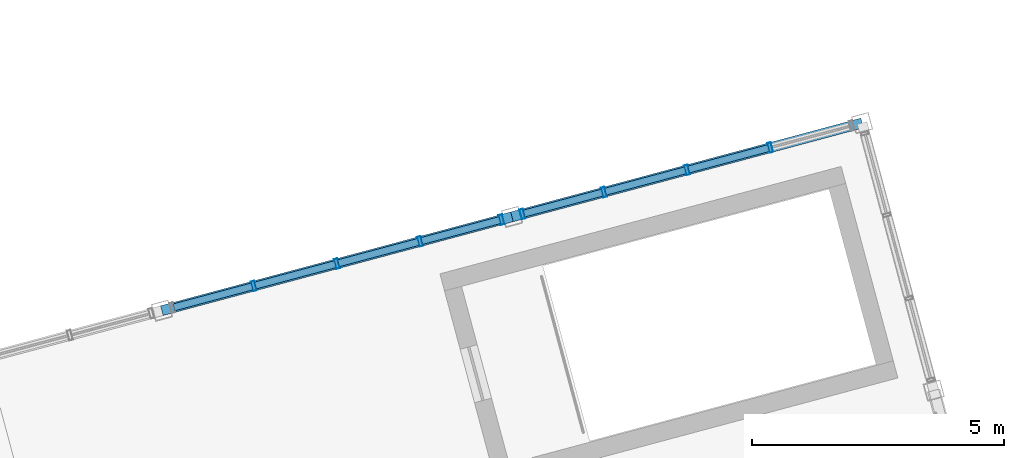
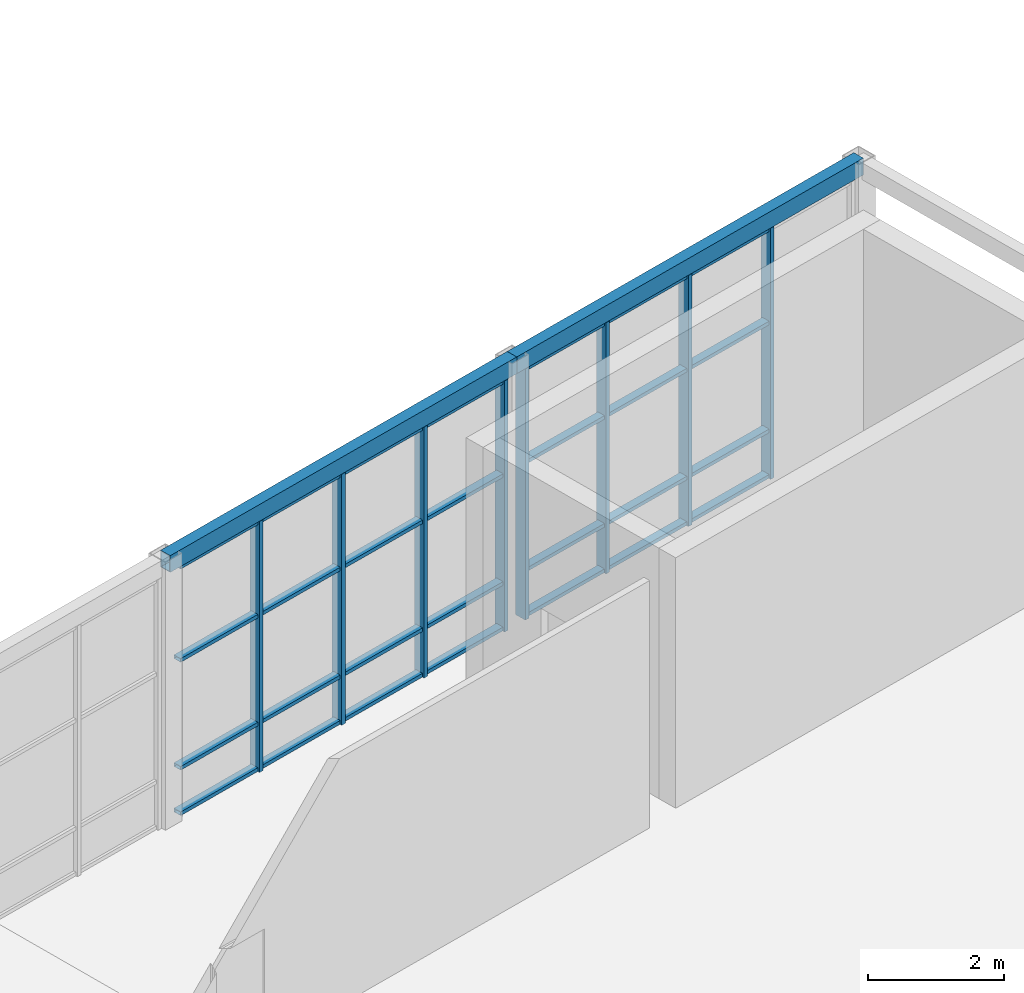
# One storey, part 48 of 99: 36 members, 2 beams, 2 elements without a shape of their own.
"""IFC4 building model written with IfcOpenShell, lengths in metres."""

from ifc_helpers import new_model, si_unit, direction, frame, origin, origin_2d, place, context, subcontext, project, spatial, hollow_rectangle, extrude, material, layer, layer_set, material_profile, profile_set, type_object, element, aggregate, save


model = new_model("IFC4")

# Units and contexts
model_context = context("Model", 3, precision=1e-05, world=origin(), true_north=direction((0.0, 1.0)))
body_context = subcontext(model_context, "Body", "Model", "MODEL_VIEW")
ifc_project = project(units=[si_unit("LENGTHUNIT", "METRE"), si_unit("AREAUNIT", "SQUARE_METRE"), si_unit("VOLUMEUNIT", "CUBIC_METRE"), si_unit("PLANEANGLEUNIT", "RADIAN"), si_unit("MASSUNIT", "GRAM", prefix="KILO")], contexts=[model_context])

# Site, building, storey
site_placement = place(None, origin())
site = spatial("IfcSite", under=ifc_project, at=site_placement, CompositionType="ELEMENT")
building_placement = place(site_placement, origin())
building = spatial("IfcBuilding", under=site, at=building_placement, Name="Ventoquebrada Cableway Terminal", CompositionType="ELEMENT")
storey_placement = place(building_placement, frame((0.0, 0.0, 9.60009765625)))
storey = spatial("IfcBuildingStorey", under=building, at=storey_placement, Name="L02", CompositionType="ELEMENT", Elevation=9.60009765625)

# Curtain wall, members
ifc_material_1 = material(Name="Anodized thermally-broken aluminium", Category="aluminium")
ifc_layer = layer(ifc_material_1, 0.159912109375)
ifc_layer_set = layer_set([ifc_layer], Name="Anodized thermally-broken aluminium")
curtain_wall_type = type_object("IfcCurtainWallType", Name="CW-T40", PredefinedType="USERDEFINED", material=ifc_layer_set)
curtain_wall_1_placement = place(storey_placement, origin())
curtain_wall_1 = element("IfcCurtainWall", 1, at=curtain_wall_1_placement, inside=storey, type_object=curtain_wall_type, Name="Unitised glazed curtain wall CW-109", ObjectType="UNITISED CURTAIN WALL", PredefinedType="USERDEFINED")
ifc_material_profile_1 = material_profile(ifc_material_1, hollow_rectangle(XDim=0.074951171875, YDim=0.199951171875, WallThickness=0.00439453125, at=origin_2d()), Name="CW-MUL-75X200")
ifc_profile_set_1 = profile_set([ifc_material_profile_1], Name="Anodized thermally-broken aluminium")
member_type_1 = type_object("IfcMemberType", Name="CWM-02", PredefinedType="MULLION", material=ifc_profile_set_1)
member_1_placement = place(storey_placement, frame((72.85888671875, 102.2958984375, -0.008056640625), z_axis=(0.0, 0.0, 1.0), x_axis=(-0.965966469573, -0.258667314636, 0.0)))
member_1 = element("IfcMember", 2, at=member_1_placement, type_object=member_type_1, Name="Curtain wall mullion FML-0530", PredefinedType="MULLION", context=body_context, shape_type="SweptSolid", body=[
    extrude(hollow_rectangle(XDim=0.074951171875, YDim=0.199951171875, WallThickness=0.00439453125, at=origin_2d()), origin(), (0.0, 0.0, 1.0), 4.5029296875),
])
member_2_placement = place(storey_placement, frame((71.241943359375, 101.863037109375, -0.008056640625), z_axis=(0.0, 0.0, 1.0), x_axis=(-0.965966469573, -0.258667314636, 0.0)))
member_2 = element("IfcMember", 3, at=member_2_placement, type_object=member_type_1, Name="Curtain wall mullion FML-0531", PredefinedType="MULLION", context=body_context, shape_type="SweptSolid", body=[
    extrude(hollow_rectangle(XDim=0.074951171875, YDim=0.199951171875, WallThickness=0.00439453125, at=origin_2d()), origin(), (0.0, 0.0, 1.0), 4.5029296875),
])
member_3_placement = place(storey_placement, frame((69.590087890625, 101.4208984375, -0.008056640625), z_axis=(0.0, 0.0, 1.0), x_axis=(-0.965966469573, -0.258667314636, 0.0)))
member_3 = element("IfcMember", 4, at=member_3_placement, type_object=member_type_1, Name="Curtain wall mullion FML-0532", PredefinedType="MULLION", context=body_context, shape_type="SweptSolid", body=[
    extrude(hollow_rectangle(XDim=0.074951171875, YDim=0.199951171875, WallThickness=0.00439453125, at=origin_2d()), origin(), (0.0, 0.0, 1.0), 4.5029296875),
])
member_4_placement = place(storey_placement, frame((67.93896484375, 100.97802734375, -0.008056640625), z_axis=(0.0, 0.0, 1.0), x_axis=(-0.965966469573, -0.258667314636, 0.0)))
member_4 = element("IfcMember", 5, at=member_4_placement, type_object=member_type_1, Name="Curtain wall mullion FML-0533", PredefinedType="MULLION", context=body_context, shape_type="SweptSolid", body=[
    extrude(hollow_rectangle(XDim=0.074951171875, YDim=0.199951171875, WallThickness=0.00439453125, at=origin_2d()), origin(), (0.0, 0.0, 1.0), 4.5029296875),
])

curtain_wall_2_placement = place(storey_placement, origin())
curtain_wall_2 = element("IfcCurtainWall", 6, at=curtain_wall_2_placement, inside=storey, type_object=curtain_wall_type, Name="Unitised glazed curtain wall CW-110", ObjectType="UNITISED CURTAIN WALL", PredefinedType="USERDEFINED")
member_5_placement = place(storey_placement, frame((78.196044921875, 103.72705078125, -0.008056640625), z_axis=(0.0, 0.0, 1.0), x_axis=(-0.965939376699, -0.25876846899, 0.0)))
member_5 = element("IfcMember", 7, at=member_5_placement, type_object=member_type_1, Name="Curtain wall mullion FML-0536", PredefinedType="MULLION", context=body_context, shape_type="SweptSolid", body=[
    extrude(hollow_rectangle(XDim=0.074951171875, YDim=0.199951171875, WallThickness=0.00439453125, at=origin_2d()), origin(), (0.0, 0.0, 1.0), 4.5029296875),
])
member_6_placement = place(storey_placement, frame((76.5439453125, 103.283935546875, -0.008056640625), z_axis=(0.0, 0.0, 1.0), x_axis=(-0.965939376699, -0.25876846899, 0.0)))
member_6 = element("IfcMember", 8, at=member_6_placement, type_object=member_type_1, Name="Curtain wall mullion FML-0537", PredefinedType="MULLION", context=body_context, shape_type="SweptSolid", body=[
    extrude(hollow_rectangle(XDim=0.074951171875, YDim=0.199951171875, WallThickness=0.00439453125, at=origin_2d()), origin(), (0.0, 0.0, 1.0), 4.5029296875),
])
member_7_placement = place(storey_placement, frame((74.89306640625, 102.841064453125, -0.008056640625), z_axis=(0.0, 0.0, 1.0), x_axis=(-0.965939376699, -0.25876846899, 0.0)))
member_7 = element("IfcMember", 9, at=member_7_placement, type_object=member_type_1, Name="Curtain wall mullion FML-0538", PredefinedType="MULLION", context=body_context, shape_type="SweptSolid", body=[
    extrude(hollow_rectangle(XDim=0.074951171875, YDim=0.199951171875, WallThickness=0.00439453125, at=origin_2d()), origin(), (0.0, 0.0, 1.0), 4.5029296875),
])
member_8_placement = place(storey_placement, frame((73.27490234375, 102.407958984375, -0.008056640625), z_axis=(0.0, 0.0, 1.0), x_axis=(-0.965939376699, -0.25876846899, 0.0)))
member_8 = element("IfcMember", 10, at=member_8_placement, type_object=member_type_1, Name="Curtain wall mullion FML-0539", PredefinedType="MULLION", context=body_context, shape_type="SweptSolid", body=[
    extrude(hollow_rectangle(XDim=0.074951171875, YDim=0.199951171875, WallThickness=0.00439453125, at=origin_2d()), origin(), (0.0, 0.0, 1.0), 4.5029296875),
])

# Member
ifc_material_profile_2 = material_profile(ifc_material_1, hollow_rectangle(XDim=0.06494140625, YDim=0.139892578125, WallThickness=0.00390625, at=origin_2d()), Name="CW-TRN-65X140")
ifc_profile_set_2 = profile_set([ifc_material_profile_2], Name="Anodized thermally-broken aluminium")
member_type_2 = type_object("IfcMemberType", Name="CWT-01", PredefinedType="USERDEFINED", material=ifc_profile_set_2)
member_9_placement = place(storey_placement, frame((72.827880859375, 102.2880859375, 0.034912109375), z_axis=(-0.965871529052, -0.259021600192, 0.0), x_axis=(0.0, 0.0, 1.0)))
member_9 = element("IfcMember", 11, at=member_9_placement, type_object=member_type_2, Name="Curtain wall transom FTR-1564", ObjectType="TRANSOM", PredefinedType="USERDEFINED", context=body_context, shape_type="SweptSolid", body=[
    extrude(hollow_rectangle(XDim=0.06494140625, YDim=0.139892578125, WallThickness=0.00390625, at=origin_2d()), origin(), (0.0, 0.0, 1.0), 1.60986328125),
])

member_10_placement = place(storey_placement, frame((72.827880859375, 102.2880859375, 0.849853515625), z_axis=(-0.965871529052, -0.259021600192, 0.0), x_axis=(0.0, 0.0, 1.0)))
member_10 = element("IfcMember", 12, at=member_10_placement, type_object=member_type_2, Name="Curtain wall transom FTR-1565", ObjectType="TRANSOM", PredefinedType="USERDEFINED", context=body_context, shape_type="SweptSolid", body=[
    extrude(hollow_rectangle(XDim=0.06494140625, YDim=0.139892578125, WallThickness=0.00390625, at=origin_2d()), origin(), (0.0, 0.0, 1.0), 1.60986328125),
])

member_11_placement = place(storey_placement, frame((72.827880859375, 102.2880859375, 2.783935546875), z_axis=(-0.965871529052, -0.259021600192, 0.0), x_axis=(0.0, 0.0, 1.0)))
member_11 = element("IfcMember", 13, at=member_11_placement, type_object=member_type_2, Name="Curtain wall transom FTR-1566", ObjectType="TRANSOM", PredefinedType="USERDEFINED", context=body_context, shape_type="SweptSolid", body=[
    extrude(hollow_rectangle(XDim=0.06494140625, YDim=0.139892578125, WallThickness=0.00390625, at=origin_2d()), origin(), (0.0, 0.0, 1.0), 1.60986328125),
])

member_12_placement = place(storey_placement, frame((72.827880859375, 102.2880859375, 4.454833984375), z_axis=(-0.965871529052, -0.259021600192, 0.0), x_axis=(0.0, 0.0, 1.0)))
member_12 = element("IfcMember", 14, at=member_12_placement, type_object=member_type_2, Name="Curtain wall transom FTR-1567", ObjectType="TRANSOM", PredefinedType="USERDEFINED", context=body_context, shape_type="SweptSolid", body=[
    extrude(hollow_rectangle(XDim=0.06494140625, YDim=0.139892578125, WallThickness=0.00390625, at=origin_2d()), origin(), (0.0, 0.0, 1.0), 1.60986328125),
])

member_13_placement = place(storey_placement, frame((71.2099609375, 101.85400390625, 0.034912109375), z_axis=(-0.966030149036, -0.258429392974, 0.0), x_axis=(0.0, 0.0, 1.0)))
member_13 = element("IfcMember", 15, at=member_13_placement, type_object=member_type_2, Name="Curtain wall transom FTR-1568", ObjectType="TRANSOM", PredefinedType="USERDEFINED", context=body_context, shape_type="SweptSolid", body=[
    extrude(hollow_rectangle(XDim=0.06494140625, YDim=0.139892578125, WallThickness=0.00390625, at=origin_2d()), origin(), (0.0, 0.0, 1.0), 1.644775390625),
])

member_14_placement = place(storey_placement, frame((71.2099609375, 101.85400390625, 0.849853515625), z_axis=(-0.966030149036, -0.258429392974, 0.0), x_axis=(0.0, 0.0, 1.0)))
member_14 = element("IfcMember", 16, at=member_14_placement, type_object=member_type_2, Name="Curtain wall transom FTR-1569", ObjectType="TRANSOM", PredefinedType="USERDEFINED", context=body_context, shape_type="SweptSolid", body=[
    extrude(hollow_rectangle(XDim=0.06494140625, YDim=0.139892578125, WallThickness=0.00390625, at=origin_2d()), origin(), (0.0, 0.0, 1.0), 1.644775390625),
])

member_15_placement = place(storey_placement, frame((71.2099609375, 101.85400390625, 2.783935546875), z_axis=(-0.966030149036, -0.258429392974, 0.0), x_axis=(0.0, 0.0, 1.0)))
member_15 = element("IfcMember", 17, at=member_15_placement, type_object=member_type_2, Name="Curtain wall transom FTR-1570", ObjectType="TRANSOM", PredefinedType="USERDEFINED", context=body_context, shape_type="SweptSolid", body=[
    extrude(hollow_rectangle(XDim=0.06494140625, YDim=0.139892578125, WallThickness=0.00390625, at=origin_2d()), origin(), (0.0, 0.0, 1.0), 1.644775390625),
])

member_16_placement = place(storey_placement, frame((71.2099609375, 101.85400390625, 4.454833984375), z_axis=(-0.966030149036, -0.258429392974, 0.0), x_axis=(0.0, 0.0, 1.0)))
member_16 = element("IfcMember", 18, at=member_16_placement, type_object=member_type_2, Name="Curtain wall transom FTR-1571", ObjectType="TRANSOM", PredefinedType="USERDEFINED", context=body_context, shape_type="SweptSolid", body=[
    extrude(hollow_rectangle(XDim=0.06494140625, YDim=0.139892578125, WallThickness=0.00390625, at=origin_2d()), origin(), (0.0, 0.0, 1.0), 1.644775390625),
])

member_17_placement = place(storey_placement, frame((69.55908203125, 101.412109375, 0.034912109375), z_axis=(-0.966040060403, -0.25839234063, 0.0), x_axis=(0.0, 0.0, 1.0)))
member_17 = element("IfcMember", 19, at=member_17_placement, type_object=member_type_2, Name="Curtain wall transom FTR-1572", ObjectType="TRANSOM", PredefinedType="USERDEFINED", context=body_context, shape_type="SweptSolid", body=[
    extrude(hollow_rectangle(XDim=0.06494140625, YDim=0.139892578125, WallThickness=0.00390625, at=origin_2d()), origin(), (0.0, 0.0, 1.0), 1.64501953125),
])

member_18_placement = place(storey_placement, frame((69.55908203125, 101.412109375, 0.849853515625), z_axis=(-0.966040060403, -0.25839234063, 0.0), x_axis=(0.0, 0.0, 1.0)))
member_18 = element("IfcMember", 20, at=member_18_placement, type_object=member_type_2, Name="Curtain wall transom FTR-1573", ObjectType="TRANSOM", PredefinedType="USERDEFINED", context=body_context, shape_type="SweptSolid", body=[
    extrude(hollow_rectangle(XDim=0.06494140625, YDim=0.139892578125, WallThickness=0.00390625, at=origin_2d()), origin(), (0.0, 0.0, 1.0), 1.64501953125),
])

member_19_placement = place(storey_placement, frame((69.55908203125, 101.412109375, 2.783935546875), z_axis=(-0.966040060403, -0.25839234063, 0.0), x_axis=(0.0, 0.0, 1.0)))
member_19 = element("IfcMember", 21, at=member_19_placement, type_object=member_type_2, Name="Curtain wall transom FTR-1574", ObjectType="TRANSOM", PredefinedType="USERDEFINED", context=body_context, shape_type="SweptSolid", body=[
    extrude(hollow_rectangle(XDim=0.06494140625, YDim=0.139892578125, WallThickness=0.00390625, at=origin_2d()), origin(), (0.0, 0.0, 1.0), 1.64501953125),
])

member_20_placement = place(storey_placement, frame((69.55908203125, 101.412109375, 4.454833984375), z_axis=(-0.966040060403, -0.25839234063, 0.0), x_axis=(0.0, 0.0, 1.0)))
member_20 = element("IfcMember", 22, at=member_20_placement, type_object=member_type_2, Name="Curtain wall transom FTR-1575", ObjectType="TRANSOM", PredefinedType="USERDEFINED", context=body_context, shape_type="SweptSolid", body=[
    extrude(hollow_rectangle(XDim=0.06494140625, YDim=0.139892578125, WallThickness=0.00390625, at=origin_2d()), origin(), (0.0, 0.0, 1.0), 1.64501953125),
])

member_21_placement = place(storey_placement, frame((67.906982421875, 100.969970703125, 0.034912109375), z_axis=(-0.965871529052, -0.259021600192, 0.0), x_axis=(0.0, 0.0, 1.0)))
member_21 = element("IfcMember", 23, at=member_21_placement, type_object=member_type_2, Name="Curtain wall transom FTR-1576", ObjectType="TRANSOM", PredefinedType="USERDEFINED", context=body_context, shape_type="SweptSolid", body=[
    extrude(hollow_rectangle(XDim=0.06494140625, YDim=0.139892578125, WallThickness=0.00390625, at=origin_2d()), origin(), (0.0, 0.0, 1.0), 1.60986328125),
])

member_22_placement = place(storey_placement, frame((67.906982421875, 100.969970703125, 0.849853515625), z_axis=(-0.965871529052, -0.259021600192, 0.0), x_axis=(0.0, 0.0, 1.0)))
member_22 = element("IfcMember", 24, at=member_22_placement, type_object=member_type_2, Name="Curtain wall transom FTR-1577", ObjectType="TRANSOM", PredefinedType="USERDEFINED", context=body_context, shape_type="SweptSolid", body=[
    extrude(hollow_rectangle(XDim=0.06494140625, YDim=0.139892578125, WallThickness=0.00390625, at=origin_2d()), origin(), (0.0, 0.0, 1.0), 1.60986328125),
])

member_23_placement = place(storey_placement, frame((67.906982421875, 100.969970703125, 2.783935546875), z_axis=(-0.965871529052, -0.259021600192, 0.0), x_axis=(0.0, 0.0, 1.0)))
member_23 = element("IfcMember", 25, at=member_23_placement, type_object=member_type_2, Name="Curtain wall transom FTR-1578", ObjectType="TRANSOM", PredefinedType="USERDEFINED", context=body_context, shape_type="SweptSolid", body=[
    extrude(hollow_rectangle(XDim=0.06494140625, YDim=0.139892578125, WallThickness=0.00390625, at=origin_2d()), origin(), (0.0, 0.0, 1.0), 1.60986328125),
])

member_24_placement = place(storey_placement, frame((67.906982421875, 100.969970703125, 4.454833984375), z_axis=(-0.965871529052, -0.259021600192, 0.0), x_axis=(0.0, 0.0, 1.0)))
member_24 = element("IfcMember", 26, at=member_24_placement, type_object=member_type_2, Name="Curtain wall transom FTR-1579", ObjectType="TRANSOM", PredefinedType="USERDEFINED", context=body_context, shape_type="SweptSolid", body=[
    extrude(hollow_rectangle(XDim=0.06494140625, YDim=0.139892578125, WallThickness=0.00390625, at=origin_2d()), origin(), (0.0, 0.0, 1.0), 1.60986328125),
])

aggregate(curtain_wall_1, [member_1, member_2, member_3, member_4, member_9, member_10, member_11, member_12, member_13, member_14, member_15, member_16, member_17, member_18, member_19, member_20, member_21, member_22, member_23, member_24])

member_25_placement = place(storey_placement, frame((78.1650390625, 103.718017578125, 0.034912109375), z_axis=(-0.965891735452, -0.258946240339, 0.0), x_axis=(0.0, 0.0, 1.0)))
member_25 = element("IfcMember", 27, at=member_25_placement, type_object=member_type_2, Name="Curtain wall transom FTR-1584", ObjectType="TRANSOM", PredefinedType="USERDEFINED", context=body_context, shape_type="SweptSolid", body=[
    extrude(hollow_rectangle(XDim=0.06494140625, YDim=0.139892578125, WallThickness=0.00390625, at=origin_2d()), origin(), (0.0, 0.0, 1.0), 1.645263671875),
])

member_26_placement = place(storey_placement, frame((78.1650390625, 103.718017578125, 0.849853515625), z_axis=(-0.965891735452, -0.258946240339, 0.0), x_axis=(0.0, 0.0, 1.0)))
member_26 = element("IfcMember", 28, at=member_26_placement, type_object=member_type_2, Name="Curtain wall transom FTR-1585", ObjectType="TRANSOM", PredefinedType="USERDEFINED", context=body_context, shape_type="SweptSolid", body=[
    extrude(hollow_rectangle(XDim=0.06494140625, YDim=0.139892578125, WallThickness=0.00390625, at=origin_2d()), origin(), (0.0, 0.0, 1.0), 1.645263671875),
])

member_27_placement = place(storey_placement, frame((78.1650390625, 103.718017578125, 2.783935546875), z_axis=(-0.965891735452, -0.258946240339, 0.0), x_axis=(0.0, 0.0, 1.0)))
member_27 = element("IfcMember", 29, at=member_27_placement, type_object=member_type_2, Name="Curtain wall transom FTR-1586", ObjectType="TRANSOM", PredefinedType="USERDEFINED", context=body_context, shape_type="SweptSolid", body=[
    extrude(hollow_rectangle(XDim=0.06494140625, YDim=0.139892578125, WallThickness=0.00390625, at=origin_2d()), origin(), (0.0, 0.0, 1.0), 1.645263671875),
])

member_28_placement = place(storey_placement, frame((78.1650390625, 103.718017578125, 4.454833984375), z_axis=(-0.965891735452, -0.258946240339, 0.0), x_axis=(0.0, 0.0, 1.0)))
member_28 = element("IfcMember", 30, at=member_28_placement, type_object=member_type_2, Name="Curtain wall transom FTR-1587", ObjectType="TRANSOM", PredefinedType="USERDEFINED", context=body_context, shape_type="SweptSolid", body=[
    extrude(hollow_rectangle(XDim=0.06494140625, YDim=0.139892578125, WallThickness=0.00390625, at=origin_2d()), origin(), (0.0, 0.0, 1.0), 1.645263671875),
])

member_29_placement = place(storey_placement, frame((76.512939453125, 103.27587890625, 0.034912109375), z_axis=(-0.965918900074, -0.258844892706, 0.0), x_axis=(0.0, 0.0, 1.0)))
member_29 = element("IfcMember", 31, at=member_29_placement, type_object=member_type_2, Name="Curtain wall transom FTR-1588", ObjectType="TRANSOM", PredefinedType="USERDEFINED", context=body_context, shape_type="SweptSolid", body=[
    extrude(hollow_rectangle(XDim=0.06494140625, YDim=0.139892578125, WallThickness=0.00390625, at=origin_2d()), origin(), (0.0, 0.0, 1.0), 1.64501953125),
])

member_30_placement = place(storey_placement, frame((76.512939453125, 103.27587890625, 0.849853515625), z_axis=(-0.965918900074, -0.258844892706, 0.0), x_axis=(0.0, 0.0, 1.0)))
member_30 = element("IfcMember", 32, at=member_30_placement, type_object=member_type_2, Name="Curtain wall transom FTR-1589", ObjectType="TRANSOM", PredefinedType="USERDEFINED", context=body_context, shape_type="SweptSolid", body=[
    extrude(hollow_rectangle(XDim=0.06494140625, YDim=0.139892578125, WallThickness=0.00390625, at=origin_2d()), origin(), (0.0, 0.0, 1.0), 1.64501953125),
])

member_31_placement = place(storey_placement, frame((76.512939453125, 103.27587890625, 2.783935546875), z_axis=(-0.965918900074, -0.258844892706, 0.0), x_axis=(0.0, 0.0, 1.0)))
member_31 = element("IfcMember", 33, at=member_31_placement, type_object=member_type_2, Name="Curtain wall transom FTR-1590", ObjectType="TRANSOM", PredefinedType="USERDEFINED", context=body_context, shape_type="SweptSolid", body=[
    extrude(hollow_rectangle(XDim=0.06494140625, YDim=0.139892578125, WallThickness=0.00390625, at=origin_2d()), origin(), (0.0, 0.0, 1.0), 1.64501953125),
])

member_32_placement = place(storey_placement, frame((76.512939453125, 103.27587890625, 4.454833984375), z_axis=(-0.965918900074, -0.258844892706, 0.0), x_axis=(0.0, 0.0, 1.0)))
member_32 = element("IfcMember", 34, at=member_32_placement, type_object=member_type_2, Name="Curtain wall transom FTR-1591", ObjectType="TRANSOM", PredefinedType="USERDEFINED", context=body_context, shape_type="SweptSolid", body=[
    extrude(hollow_rectangle(XDim=0.06494140625, YDim=0.139892578125, WallThickness=0.00390625, at=origin_2d()), origin(), (0.0, 0.0, 1.0), 1.64501953125),
])

member_33_placement = place(storey_placement, frame((74.861083984375, 102.8330078125, 0.034912109375), z_axis=(-0.965881701481, -0.258983665013, 0.0), x_axis=(0.0, 0.0, 1.0)))
member_33 = element("IfcMember", 35, at=member_33_placement, type_object=member_type_2, Name="Curtain wall transom FTR-1592", ObjectType="TRANSOM", PredefinedType="USERDEFINED", context=body_context, shape_type="SweptSolid", body=[
    extrude(hollow_rectangle(XDim=0.06494140625, YDim=0.139892578125, WallThickness=0.00390625, at=origin_2d()), origin(), (0.0, 0.0, 1.0), 1.610107421875),
])

member_34_placement = place(storey_placement, frame((74.861083984375, 102.8330078125, 0.849853515625), z_axis=(-0.965881701481, -0.258983665013, 0.0), x_axis=(0.0, 0.0, 1.0)))
member_34 = element("IfcMember", 36, at=member_34_placement, type_object=member_type_2, Name="Curtain wall transom FTR-1593", ObjectType="TRANSOM", PredefinedType="USERDEFINED", context=body_context, shape_type="SweptSolid", body=[
    extrude(hollow_rectangle(XDim=0.06494140625, YDim=0.139892578125, WallThickness=0.00390625, at=origin_2d()), origin(), (0.0, 0.0, 1.0), 1.610107421875),
])

member_35_placement = place(storey_placement, frame((74.861083984375, 102.8330078125, 2.783935546875), z_axis=(-0.965881701481, -0.258983665013, 0.0), x_axis=(0.0, 0.0, 1.0)))
member_35 = element("IfcMember", 37, at=member_35_placement, type_object=member_type_2, Name="Curtain wall transom FTR-1594", ObjectType="TRANSOM", PredefinedType="USERDEFINED", context=body_context, shape_type="SweptSolid", body=[
    extrude(hollow_rectangle(XDim=0.06494140625, YDim=0.139892578125, WallThickness=0.00390625, at=origin_2d()), origin(), (0.0, 0.0, 1.0), 1.610107421875),
])

member_36_placement = place(storey_placement, frame((74.861083984375, 102.8330078125, 4.454833984375), z_axis=(-0.965881701481, -0.258983665013, 0.0), x_axis=(0.0, 0.0, 1.0)))
member_36 = element("IfcMember", 38, at=member_36_placement, type_object=member_type_2, Name="Curtain wall transom FTR-1595", ObjectType="TRANSOM", PredefinedType="USERDEFINED", context=body_context, shape_type="SweptSolid", body=[
    extrude(hollow_rectangle(XDim=0.06494140625, YDim=0.139892578125, WallThickness=0.00390625, at=origin_2d()), origin(), (0.0, 0.0, 1.0), 1.610107421875),
])

aggregate(curtain_wall_2, [member_5, member_6, member_7, member_8, member_25, member_26, member_27, member_28, member_29, member_30, member_31, member_32, member_33, member_34, member_35, member_36])

# Beams
ifc_material_2 = material(Name="Steel ASTM A500 Grade C", Category="steel")
ifc_material_profile_3 = material_profile(ifc_material_2, hollow_rectangle(XDim=0.199951171875, YDim=0.300048828125, WallThickness=0.012451171875, at=origin_2d()), Name="RHS300X200X12.5")
ifc_profile_set_3 = profile_set([ifc_material_profile_3], Name="Steel ASTM A500 Grade C")
beam_type = type_object("IfcBeamType", Name="SP-ST02", PredefinedType="SPANDREL", material=ifc_profile_set_3)
beam_1_placement = place(storey_placement, frame((66.113037109375, 100.489013671875, 4.64990234375), z_axis=(0.965934277216, 0.258787503754, 0.0), x_axis=(-0.258787503754, 0.965934277216, 0.0)))
element("IfcBeam", 39, at=beam_1_placement, inside=storey, type_object=beam_type, Name="Boarding hall perimeter tie beam FBM-1097", PredefinedType="SPANDREL", context=body_context, shape_type="SweptSolid", body=[
    extrude(hollow_rectangle(XDim=0.199951171875, YDim=0.300048828125, WallThickness=0.012451171875, at=origin_2d()), origin(), (0.0, 0.0, 1.0), 7.19921875),
])
beam_2_placement = place(storey_placement, frame((73.06689453125, 102.35205078125, 4.64990234375), z_axis=(0.96591172503, 0.258871665986, 0.0), x_axis=(-0.258871665986, 0.96591172503, 0.0)))
element("IfcBeam", 40, at=beam_2_placement, inside=storey, type_object=beam_type, Name="Boarding hall perimeter tie beam FBM-1098", PredefinedType="SPANDREL", context=body_context, shape_type="SweptSolid", body=[
    extrude(hollow_rectangle(XDim=0.199951171875, YDim=0.300048828125, WallThickness=0.012451171875, at=origin_2d()), origin(), (0.0, 0.0, 1.0), 7.200439453125),
])

save(model, "model.ifc")
